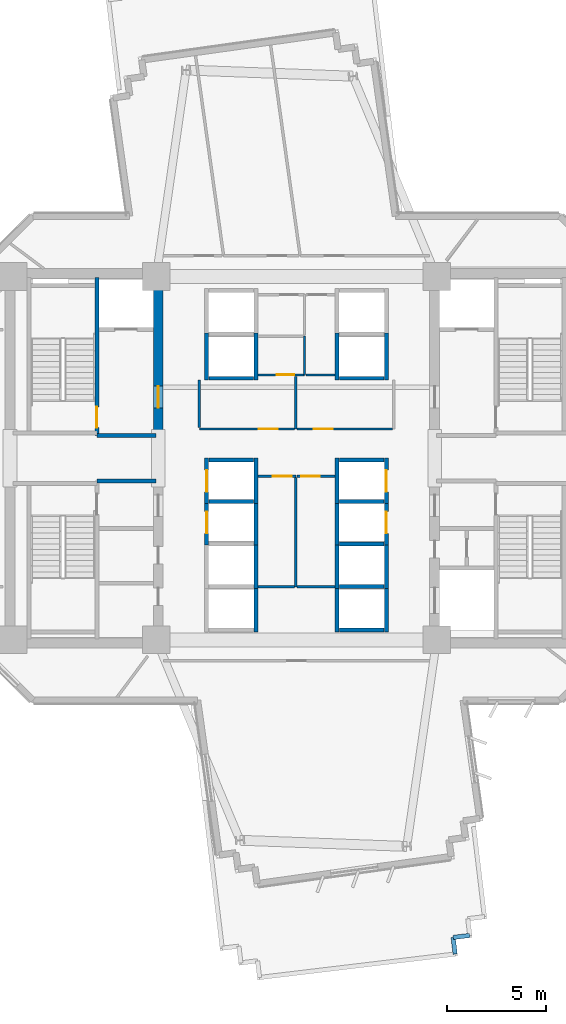
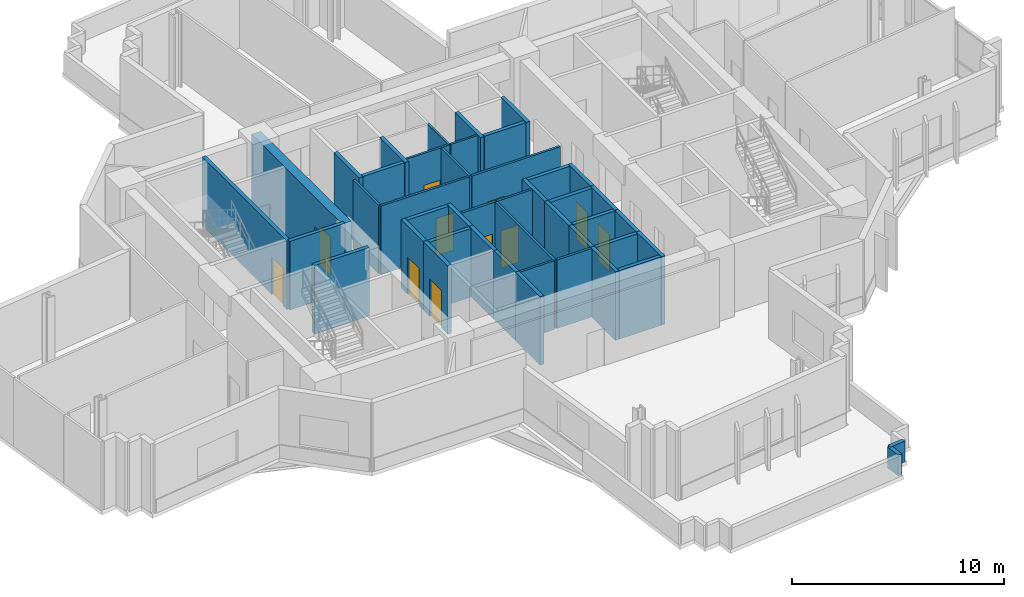
# One storey, part 7 of 13: 45 walls, 11 doors, 11 openings.
"""IFC4 building model written with IfcOpenShell, lengths in metres."""

from ifc_helpers import new_model, si_unit, direction, frame, frame_2d, origin, place, context, subcontext, project, spatial, rectangle, extrude, source, transform, mapped, material, layer, layer_set, type_object, element, fill, save


model = new_model("IFC4")

# Units and contexts
model_context = context("Model", 3, precision=1e-05, world=origin(), true_north=direction((0.0, 1.0)))
body_context = subcontext(model_context, "Body", "Model", "MODEL_VIEW")
ifc_project = project(units=[si_unit("LENGTHUNIT", "METRE"), si_unit("AREAUNIT", "SQUARE_METRE"), si_unit("VOLUMEUNIT", "CUBIC_METRE"), si_unit("PLANEANGLEUNIT", "RADIAN"), si_unit("MASSUNIT", "GRAM", prefix="KILO")], contexts=[model_context])

# Site, building, storey
site_placement = place(None, origin())
site = spatial("IfcSite", under=ifc_project, at=site_placement, CompositionType="ELEMENT")
building_placement = place(site_placement, origin())
building = spatial("IfcBuilding", under=site, at=building_placement, Name="Zahravan Cultural Tower", CompositionType="ELEMENT")
storey_placement = place(building_placement, frame((0.0, 0.0, 117.300048828125)))
storey = spatial("IfcBuildingStorey", under=building, at=storey_placement, Name="L26", CompositionType="ELEMENT", Elevation=117.300048828125)

# Wall, opening, door
ifc_material_1 = material(Name="Concrete C60/75", Category="concrete")
ifc_layer_1 = layer(ifc_material_1, 0.5)
ifc_layer_set_1 = layer_set([ifc_layer_1], Name="Concrete C60/75")
wall_type_1 = type_object("IfcWallType", Name="CW-SHEAR-500-C60", PredefinedType="SHEAR", material=ifc_layer_set_1)
wall_1_placement = place(storey_placement, frame((29.0, 28.050048828125, 0.0), z_axis=(0.0, 0.0, 1.0), x_axis=(0.0, 1.0, 0.0)))
wall_1 = element("IfcWall", 1, at=wall_1_placement, inside=storey, type_object=wall_type_1, Name="L26 Core Shear Wall CW-W-EN-L26", PredefinedType="SHEAR", context=body_context, shape_type="SweptSolid", body=[
    extrude(rectangle(XDim=8.550048828125, YDim=0.5, at=frame_2d((4.27490234375, 0.0))), origin(), (0.0, 0.0, 1.0), 3.949951171875),
])
opening_1_placement = place(wall_1_placement, frame((1.5, 0.0, 0.0)))
opening_1 = element("IfcOpeningElement", 2, at=opening_1_placement, cuts=wall_1, Name="Opening D-L26-05", PredefinedType="OPENING", context=body_context, shape_type="SweptSolid", body=[
    extrude(rectangle(XDim=1.10009765625, YDim=2.199951171875, at=frame_2d((0.550048828125, 1.10009765625))), frame((0.0, 0.260009765625, 0.0), z_axis=(0.0, -1.0, 0.0), x_axis=(1.0, 0.0, 0.0)), (0.0, 0.0, 1.0), 0.52001953125),
])
ifc_material_2 = material(Name="Steel ASTM A572 Grade 50", Category="steel")
door_type_1 = type_object("IfcDoorType", Name="DR-LOBBY-1100", OperationType="NOTDEFINED", PredefinedType="DOOR", material=ifc_material_2)
shared_shape_1 = source(origin(), body_context, "Body", "SweptSolid", [
    extrude(rectangle(XDim=1.10009765625, YDim=2.199951171875, at=frame_2d((0.550048828125, 1.10009765625))), frame((0.0, 0.02490234375, 0.0), z_axis=(0.0, -1.0, 0.0), x_axis=(1.0, 0.0, 0.0)), (0.0, 0.0, 1.0), 0.050048828125),
])
door_1_placement = place(opening_1_placement, origin())
door_1 = element("IfcDoor", 3, at=door_1_placement, inside=storey, type_object=door_type_1, Name="L26 Door D-L26-05", OperationType="SINGLE_SWING_RIGHT", OverallHeight=2.199951171875, OverallWidth=1.10009765625, PredefinedType="DOOR", context=body_context, shape_type="MappedRepresentation", body=[
    mapped(shared_shape_1, transform((0.0, 0.0, 0.0), x_axis=(1.0, 0.0, 0.0), y_axis=(0.0, 1.0, 0.0), z_axis=(0.0, 0.0, 1.0), scale=1.0)),
])
fill(opening_1, door_1)

ifc_material_3 = material(Name="Gypsum plasterboard partition")
ifc_layer_2 = layer(ifc_material_3, 0.125)
ifc_layer_set_2 = layer_set([ifc_layer_2], Name="Gypsum plasterboard partition")
wall_type_2 = type_object("IfcWallType", Name="W-PART-125", PredefinedType="PARTITIONING", material=ifc_layer_set_2)
wall_2_placement = place(storey_placement, frame((34.054931640625, 26.080078125, 0.0), z_axis=(0.0, 0.0, 1.0), x_axis=(1.0, 0.0, 0.0)))
wall_2 = element("IfcWall", 4, at=wall_2_placement, inside=storey, type_object=wall_type_2, Name="L26 Interior Wall 075", PredefinedType="PARTITIONING", context=body_context, shape_type="SweptSolid", body=[
    extrude(rectangle(XDim=1.9150390625, YDim=0.125, at=frame_2d((0.95751953125, 0.0))), origin(), (0.0, 0.0, 1.0), 3.949951171875),
])
opening_2_placement = place(wall_2_placement, frame((0.752685546875, 0.0, 0.0)))
opening_2 = element("IfcOpeningElement", 5, at=opening_2_placement, cuts=wall_2, Name="Opening D-L26-15", PredefinedType="OPENING", context=body_context, shape_type="SweptSolid", body=[
    extrude(rectangle(XDim=0.949951171875, YDim=2.14990234375, at=frame_2d((0.47509765625, 1.074951171875))), frame((0.0, 0.072509765625, 0.0), z_axis=(0.0, -1.0, 0.0), x_axis=(1.0, 0.0, 0.0)), (0.0, 0.0, 1.0), 0.14501953125),
])
ifc_material_4 = material(Name="Anodised bronze-aluminium mullion", Category="aluminium")
door_type_2 = type_object("IfcDoorType", Name="DR-ROOM-950", OperationType="NOTDEFINED", PredefinedType="DOOR", material=ifc_material_4)
shared_shape_2 = source(origin(), body_context, "Body", "SweptSolid", [
    extrude(rectangle(XDim=0.949951171875, YDim=2.14990234375, at=frame_2d((0.47509765625, 1.074951171875))), frame((0.0, 0.02490234375, 0.0), z_axis=(0.0, -1.0, 0.0), x_axis=(1.0, 0.0, 0.0)), (0.0, 0.0, 1.0), 0.050048828125),
])
door_2_placement = place(opening_2_placement, origin())
door_2 = element("IfcDoor", 6, at=door_2_placement, inside=storey, type_object=door_type_2, Name="L26 Door D-L26-15", OperationType="SINGLE_SWING_RIGHT", OverallHeight=2.14990234375, OverallWidth=0.949951171875, PredefinedType="DOOR", context=body_context, shape_type="MappedRepresentation", body=[
    mapped(shared_shape_2, transform((0.0, 0.0, 0.0), x_axis=(1.0, 0.0, 0.0), y_axis=(0.0, 1.0, 0.0), z_axis=(0.0, 0.0, 1.0), scale=1.0)),
])
fill(opening_2, door_2)

wall_3_placement = place(storey_placement, frame((36.030029296875, 26.080078125, 0.0), z_axis=(0.0, 0.0, 1.0), x_axis=(1.0, 0.0, 0.0)))
wall_3 = element("IfcWall", 7, at=wall_3_placement, inside=storey, type_object=wall_type_2, Name="L26 Interior Wall 078", PredefinedType="PARTITIONING", context=body_context, shape_type="SweptSolid", body=[
    extrude(rectangle(XDim=1.9150390625, YDim=0.125, at=frame_2d((0.95751953125, 0.0))), origin(), (0.0, 0.0, 1.0), 3.949951171875),
])
opening_3_placement = place(wall_3_placement, frame((0.21240234375, 0.0, 0.0)))
opening_3 = element("IfcOpeningElement", 8, at=opening_3_placement, cuts=wall_3, Name="Opening D-L26-16", PredefinedType="OPENING", context=body_context, shape_type="SweptSolid", body=[
    extrude(rectangle(XDim=0.949951171875, YDim=2.14990234375, at=frame_2d((0.47509765625, 1.074951171875))), frame((0.0, 0.072509765625, 0.0), z_axis=(0.0, -1.0, 0.0), x_axis=(1.0, 0.0, 0.0)), (0.0, 0.0, 1.0), 0.14501953125),
])
door_3_placement = place(opening_3_placement, origin())
door_3 = element("IfcDoor", 9, at=door_3_placement, inside=storey, type_object=door_type_2, Name="L26 Door D-L26-16", OperationType="SINGLE_SWING_LEFT", OverallHeight=2.14990234375, OverallWidth=0.949951171875, PredefinedType="DOOR", context=body_context, shape_type="MappedRepresentation", body=[
    mapped(shared_shape_2, transform((0.0, 0.0, 0.0), x_axis=(1.0, 0.0, 0.0), y_axis=(0.0, 1.0, 0.0), z_axis=(0.0, 0.0, 1.0), scale=1.0)),
])
fill(opening_3, door_3)

wall_4_placement = place(storey_placement, frame((35.902587890625, 28.47998046875, 0.0), z_axis=(0.0, 0.0, 1.0), x_axis=(-1.0, 0.0, 0.0)))
wall_4 = element("IfcWall", 10, at=wall_4_placement, inside=storey, type_object=wall_type_2, Name="L26 Interior Wall 081", PredefinedType="PARTITIONING", context=body_context, shape_type="SweptSolid", body=[
    extrude(rectangle(XDim=4.822509765625, YDim=0.125, at=frame_2d((2.4111328125, 0.0))), origin(), (0.0, 0.0, 1.0), 3.949951171875),
])
opening_4_placement = place(wall_4_placement, frame((0.85205078125, 0.0, 0.0)))
opening_4 = element("IfcOpeningElement", 11, at=opening_4_placement, cuts=wall_4, Name="Opening D-L26-17", PredefinedType="OPENING", context=body_context, shape_type="SweptSolid", body=[
    extrude(rectangle(XDim=0.949951171875, YDim=2.14990234375, at=frame_2d((0.47509765625, 1.074951171875))), frame((0.0, 0.072509765625, 0.0), z_axis=(0.0, -1.0, 0.0), x_axis=(1.0, 0.0, 0.0)), (0.0, 0.0, 1.0), 0.14501953125),
])
door_4_placement = place(opening_4_placement, origin())
door_4 = element("IfcDoor", 12, at=door_4_placement, inside=storey, type_object=door_type_2, Name="L26 Door D-L26-17", OperationType="SINGLE_SWING_RIGHT", OverallHeight=2.14990234375, OverallWidth=0.949951171875, PredefinedType="DOOR", context=body_context, shape_type="MappedRepresentation", body=[
    mapped(shared_shape_2, transform((0.0, 0.0, 0.0), x_axis=(1.0, 0.0, 0.0), y_axis=(0.0, 1.0, 0.0), z_axis=(0.0, 0.0, 1.0), scale=1.0)),
])
fill(opening_4, door_4)

wall_5_placement = place(storey_placement, frame((40.8525390625, 28.47998046875, 0.0), z_axis=(0.0, 0.0, 1.0), x_axis=(-1.0, 0.0, 0.0)))
wall_5 = element("IfcWall", 13, at=wall_5_placement, inside=storey, type_object=wall_type_2, Name="L26 Interior Wall 084", PredefinedType="PARTITIONING", context=body_context, shape_type="SweptSolid", body=[
    extrude(rectangle(XDim=4.81494140625, YDim=0.125, at=frame_2d((2.407470703125, 0.0))), origin(), (0.0, 0.0, 1.0), 3.949951171875),
])
opening_5_placement = place(wall_5_placement, frame((3.0146484375, 0.0, 0.0)))
opening_5 = element("IfcOpeningElement", 14, at=opening_5_placement, cuts=wall_5, Name="Opening D-L26-18", PredefinedType="OPENING", context=body_context, shape_type="SweptSolid", body=[
    extrude(rectangle(XDim=0.949951171875, YDim=2.14990234375, at=frame_2d((0.47509765625, 1.074951171875))), frame((0.0, 0.072509765625, 0.0), z_axis=(0.0, -1.0, 0.0), x_axis=(1.0, 0.0, 0.0)), (0.0, 0.0, 1.0), 0.14501953125),
])
door_5_placement = place(opening_5_placement, origin())
door_5 = element("IfcDoor", 15, at=door_5_placement, inside=storey, type_object=door_type_2, Name="L26 Door D-L26-18", OperationType="SINGLE_SWING_LEFT", OverallHeight=2.14990234375, OverallWidth=0.949951171875, PredefinedType="DOOR", context=body_context, shape_type="MappedRepresentation", body=[
    mapped(shared_shape_2, transform((0.0, 0.0, 0.0), x_axis=(1.0, 0.0, 0.0), y_axis=(0.0, 1.0, 0.0), z_axis=(0.0, 0.0, 1.0), scale=1.0)),
])
fill(opening_5, door_5)

ifc_material_5 = material(Name="Concrete C45/55", Category="concrete")
ifc_layer_3 = layer(ifc_material_5, 0.199951171875)
ifc_layer_set_3 = layer_set([ifc_layer_3], Name="Concrete C45/55")
wall_type_3 = type_object("IfcWallType", Name="W-SHAFT-200", PredefinedType="SOLIDWALL", material=ifc_layer_set_3)
wall_6_placement = place(storey_placement, frame((25.89990234375, 28.14990234375, 0.0), z_axis=(0.0, 0.0, 1.0), x_axis=(0.0, 1.0, 0.0)))
wall_6 = element("IfcWall", 16, at=wall_6_placement, inside=storey, type_object=wall_type_3, Name="L26 Interior Wall 006", PredefinedType="SOLIDWALL", context=body_context, shape_type="SweptSolid", body=[
    extrude(rectangle(XDim=8.0, YDim=0.199951171875, at=frame_2d((4.0, 0.0))), origin(), (0.0, 0.0, 1.0), 3.949951171875),
])
opening_6_placement = place(wall_6_placement, frame((0.39990234375, 0.0, 0.0)))
opening_6 = element("IfcOpeningElement", 17, at=opening_6_placement, cuts=wall_6, Name="Opening D-L26-01", PredefinedType="OPENING", context=body_context, shape_type="SweptSolid", body=[
    extrude(rectangle(XDim=1.050048828125, YDim=2.14990234375, at=frame_2d((0.52490234375, 1.074951171875))), frame((0.0, 0.10986328125, 0.0), z_axis=(0.0, -1.0, 0.0), x_axis=(1.0, 0.0, 0.0)), (0.0, 0.0, 1.0), 0.219970703125),
])
door_type_3 = type_object("IfcDoorType", Name="DR-STAIR-1050", OperationType="NOTDEFINED", PredefinedType="DOOR", material=ifc_material_2)
shared_shape_3 = source(origin(), body_context, "Body", "SweptSolid", [
    extrude(rectangle(XDim=1.050048828125, YDim=2.14990234375, at=frame_2d((0.52490234375, 1.074951171875))), frame((0.0, 0.02490234375, 0.0), z_axis=(0.0, -1.0, 0.0), x_axis=(1.0, 0.0, 0.0)), (0.0, 0.0, 1.0), 0.050048828125),
])
door_6_placement = place(opening_6_placement, origin())
door_6 = element("IfcDoor", 18, at=door_6_placement, inside=storey, type_object=door_type_3, Name="L26 Door D-L26-01", OperationType="SINGLE_SWING_RIGHT", OverallHeight=2.14990234375, OverallWidth=1.050048828125, PredefinedType="DOOR", context=body_context, shape_type="MappedRepresentation", body=[
    mapped(shared_shape_3, transform((0.0, 0.0, 0.0), x_axis=(1.0, 0.0, 0.0), y_axis=(0.0, 1.0, 0.0), z_axis=(0.0, 0.0, 1.0), scale=1.0)),
])
fill(opening_6, door_6)

wall_7_placement = place(storey_placement, frame((31.449951171875, 24.699951171875, 0.0), z_axis=(0.0, 0.0, 1.0), x_axis=(0.0, 1.0, 0.0)))
wall_7 = element("IfcWall", 19, at=wall_7_placement, inside=storey, type_object=wall_type_3, Name="L26 Interior Wall 056", PredefinedType="SOLIDWALL", context=body_context, shape_type="SweptSolid", body=[
    extrude(rectangle(XDim=2.300048828125, YDim=0.199951171875, at=frame_2d((1.14990234375, 0.0))), origin(), (0.0, 0.0, 1.0), 3.949951171875),
])
opening_7_placement = place(wall_7_placement, frame((0.60009765625, 0.0, 0.0)))
opening_7 = element("IfcOpeningElement", 20, at=opening_7_placement, cuts=wall_7, Name="Opening LD-L26-04", PredefinedType="OPENING", context=body_context, shape_type="SweptSolid", body=[
    extrude(rectangle(XDim=1.10009765625, YDim=2.14990234375, at=frame_2d((0.550048828125, 1.074951171875))), frame((0.0, 0.10986328125, 0.0), z_axis=(0.0, -1.0, 0.0), x_axis=(1.0, 0.0, 0.0)), (0.0, 0.0, 1.0), 0.219970703125),
])
door_type_4 = type_object("IfcDoorType", Name="DR-LIFT-1100", OperationType="DOUBLE_DOOR_SLIDING", PredefinedType="DOOR", material=ifc_material_2)
shared_shape_4 = source(origin(), body_context, "Body", "SweptSolid", [
    extrude(rectangle(XDim=1.10009765625, YDim=2.14990234375, at=frame_2d((0.550048828125, 1.074951171875))), frame((0.0, 0.02490234375, 0.0), z_axis=(0.0, -1.0, 0.0), x_axis=(1.0, 0.0, 0.0)), (0.0, 0.0, 1.0), 0.050048828125),
])
door_7_placement = place(opening_7_placement, origin())
door_7 = element("IfcDoor", 21, at=door_7_placement, inside=storey, type_object=door_type_4, Name="L26 Door LD-L26-04", OperationType="DOUBLE_DOOR_SLIDING", OverallHeight=2.14990234375, OverallWidth=1.10009765625, PredefinedType="DOOR", context=body_context, shape_type="MappedRepresentation", body=[
    mapped(shared_shape_4, transform((0.0, 0.0, 0.0), x_axis=(1.0, 0.0, 0.0), y_axis=(0.0, 1.0, 0.0), z_axis=(0.0, 0.0, 1.0), scale=1.0)),
])
fill(opening_7, door_7)

wall_8_placement = place(storey_placement, frame((31.449951171875, 22.60009765625, 0.0), z_axis=(0.0, 0.0, 1.0), x_axis=(0.0, 1.0, 0.0)))
wall_8 = element("IfcWall", 22, at=wall_8_placement, inside=storey, type_object=wall_type_3, Name="L26 Interior Wall 060", PredefinedType="SOLIDWALL", context=body_context, shape_type="SweptSolid", body=[
    extrude(rectangle(XDim=2.2998046875, YDim=0.199951171875, at=frame_2d((1.14990234375, 0.0))), origin(), (0.0, 0.0, 1.0), 3.949951171875),
])
opening_8_placement = place(wall_8_placement, frame((0.60009765625, 0.0, 0.0)))
opening_8 = element("IfcOpeningElement", 23, at=opening_8_placement, cuts=wall_8, Name="Opening LD-L26-05", PredefinedType="OPENING", context=body_context, shape_type="SweptSolid", body=[
    extrude(rectangle(XDim=1.10009765625, YDim=2.14990234375, at=frame_2d((0.550048828125, 1.074951171875))), frame((0.0, 0.10986328125, 0.0), z_axis=(0.0, -1.0, 0.0), x_axis=(1.0, 0.0, 0.0)), (0.0, 0.0, 1.0), 0.219970703125),
])
door_8_placement = place(opening_8_placement, origin())
door_8 = element("IfcDoor", 24, at=door_8_placement, inside=storey, type_object=door_type_4, Name="L26 Door LD-L26-05", OperationType="DOUBLE_DOOR_SLIDING", OverallHeight=2.14990234375, OverallWidth=1.10009765625, PredefinedType="DOOR", context=body_context, shape_type="MappedRepresentation", body=[
    mapped(shared_shape_4, transform((0.0, 0.0, 0.0), x_axis=(1.0, 0.0, 0.0), y_axis=(0.0, 1.0, 0.0), z_axis=(0.0, 0.0, 1.0), scale=1.0)),
])
fill(opening_8, door_8)

wall_9_placement = place(storey_placement, frame((40.550048828125, 24.699951171875, 0.0), z_axis=(0.0, 0.0, 1.0), x_axis=(0.0, 1.0, 0.0)))
wall_9 = element("IfcWall", 25, at=wall_9_placement, inside=storey, type_object=wall_type_3, Name="L26 Interior Wall 063", PredefinedType="SOLIDWALL", context=body_context, shape_type="SweptSolid", body=[
    extrude(rectangle(XDim=2.300048828125, YDim=0.199951171875, at=frame_2d((1.14990234375, 0.0))), origin(), (0.0, 0.0, 1.0), 3.949951171875),
])
opening_9_placement = place(wall_9_placement, frame((0.60009765625, 0.0, 0.0)))
opening_9 = element("IfcOpeningElement", 26, at=opening_9_placement, cuts=wall_9, Name="Opening LD-L26-06", PredefinedType="OPENING", context=body_context, shape_type="SweptSolid", body=[
    extrude(rectangle(XDim=1.10009765625, YDim=2.14990234375, at=frame_2d((0.550048828125, 1.074951171875))), frame((0.0, 0.10986328125, 0.0), z_axis=(0.0, -1.0, 0.0), x_axis=(1.0, 0.0, 0.0)), (0.0, 0.0, 1.0), 0.219970703125),
])
door_9_placement = place(opening_9_placement, origin())
door_9 = element("IfcDoor", 27, at=door_9_placement, inside=storey, type_object=door_type_4, Name="L26 Door LD-L26-06", OperationType="DOUBLE_DOOR_SLIDING", OverallHeight=2.14990234375, OverallWidth=1.10009765625, PredefinedType="DOOR", context=body_context, shape_type="MappedRepresentation", body=[
    mapped(shared_shape_4, transform((0.0, 0.0, 0.0), x_axis=(1.0, 0.0, 0.0), y_axis=(0.0, 1.0, 0.0), z_axis=(0.0, 0.0, 1.0), scale=1.0)),
])
fill(opening_9, door_9)

wall_10_placement = place(storey_placement, frame((40.550048828125, 22.60009765625, 0.0), z_axis=(0.0, 0.0, 1.0), x_axis=(0.0, 1.0, 0.0)))
wall_10 = element("IfcWall", 28, at=wall_10_placement, inside=storey, type_object=wall_type_3, Name="L26 Interior Wall 067", PredefinedType="SOLIDWALL", context=body_context, shape_type="SweptSolid", body=[
    extrude(rectangle(XDim=2.2998046875, YDim=0.199951171875, at=frame_2d((1.14990234375, 0.0))), origin(), (0.0, 0.0, 1.0), 3.949951171875),
])
opening_10_placement = place(wall_10_placement, frame((0.60009765625, 0.0, 0.0)))
opening_10 = element("IfcOpeningElement", 29, at=opening_10_placement, cuts=wall_10, Name="Opening LD-L26-07", PredefinedType="OPENING", context=body_context, shape_type="SweptSolid", body=[
    extrude(rectangle(XDim=1.10009765625, YDim=2.14990234375, at=frame_2d((0.550048828125, 1.074951171875))), frame((0.0, 0.10986328125, 0.0), z_axis=(0.0, -1.0, 0.0), x_axis=(1.0, 0.0, 0.0)), (0.0, 0.0, 1.0), 0.219970703125),
])
door_10_placement = place(opening_10_placement, origin())
door_10 = element("IfcDoor", 30, at=door_10_placement, inside=storey, type_object=door_type_4, Name="L26 Door LD-L26-07", OperationType="DOUBLE_DOOR_SLIDING", OverallHeight=2.14990234375, OverallWidth=1.10009765625, PredefinedType="DOOR", context=body_context, shape_type="MappedRepresentation", body=[
    mapped(shared_shape_4, transform((0.0, 0.0, 0.0), x_axis=(1.0, 0.0, 0.0), y_axis=(0.0, 1.0, 0.0), z_axis=(0.0, 0.0, 1.0), scale=1.0)),
])
fill(opening_10, door_10)

ifc_layer_4 = layer(ifc_material_3, 0.114990234375)
ifc_layer_set_4 = layer_set([ifc_layer_4], Name="Gypsum plasterboard partition")
wall_type_4 = type_object("IfcWallType", Name="W-WC-115", PredefinedType="PARTITIONING", material=ifc_layer_set_4)
wall_11_placement = place(storey_placement, frame((36.409912109375, 31.219970703125, 0.0), z_axis=(0.0, 0.0, 1.0), x_axis=(-1.0, 0.0, 0.0)))
wall_11 = element("IfcWall", 31, at=wall_11_placement, inside=storey, type_object=wall_type_4, Name="L26 Interior Wall 068", PredefinedType="PARTITIONING", context=body_context, shape_type="SweptSolid", body=[
    extrude(rectangle(XDim=2.35498046875, YDim=0.114990234375, at=frame_2d((1.177490234375, 0.0))), origin(), (0.0, 0.0, 1.0), 3.949951171875),
])
opening_11_placement = place(wall_11_placement, frame((0.5166015625, 0.0, 0.0)))
opening_11 = element("IfcOpeningElement", 32, at=opening_11_placement, cuts=wall_11, Name="Opening D-L26-29", PredefinedType="OPENING", context=body_context, shape_type="SweptSolid", body=[
    extrude(rectangle(XDim=0.89990234375, YDim=2.10009765625, at=frame_2d((0.449951171875, 1.050048828125))), frame((0.0, 0.0673828125, 0.0), z_axis=(0.0, -1.0, 0.0), x_axis=(1.0, 0.0, 0.0)), (0.0, 0.0, 1.0), 0.135009765625),
])
door_type_5 = type_object("IfcDoorType", Name="DR-WC-900", OperationType="NOTDEFINED", PredefinedType="DOOR", material=ifc_material_4)
shared_shape_5 = source(origin(), body_context, "Body", "SweptSolid", [
    extrude(rectangle(XDim=0.89990234375, YDim=2.10009765625, at=frame_2d((0.449951171875, 1.050048828125))), frame((0.0, 0.02490234375, 0.0), z_axis=(0.0, -1.0, 0.0), x_axis=(1.0, 0.0, 0.0)), (0.0, 0.0, 1.0), 0.050048828125),
])
door_11_placement = place(opening_11_placement, origin())
door_11 = element("IfcDoor", 33, at=door_11_placement, inside=storey, type_object=door_type_5, Name="L26 Door D-L26-29", OperationType="SINGLE_SWING_RIGHT", OverallHeight=2.10009765625, OverallWidth=0.89990234375, PredefinedType="DOOR", context=body_context, shape_type="MappedRepresentation", body=[
    mapped(shared_shape_5, transform((0.0, 0.0, 0.0), x_axis=(1.0, 0.0, 0.0), y_axis=(0.0, 1.0, 0.0), z_axis=(0.0, 0.0, 1.0), scale=1.0)),
])
fill(opening_11, door_11)

# Walls
ifc_material_6 = material(Name="Precast concrete C40/50", Category="concrete")
ifc_layer_5 = layer(ifc_material_6, 0.219970703125)
ifc_layer_set_5 = layer_set([ifc_layer_5], Name="Precast concrete C40/50")
wall_type_5 = type_object("IfcWallType", Name="EW-PARAPET-220", PredefinedType="PARAPET", material=ifc_layer_set_5)
shared_shape_6 = source(origin(), body_context, "Body", "SweptSolid", [
    extrude(rectangle(XDim=0.85009765625, YDim=0.219970703125, at=frame_2d((0.425048828125, 0.0))), origin(), (0.0, 0.0, 1.0), 1.199951171875),
])
wall_12_placement = place(storey_placement, frame((43.936767578125, 2.732421875, 0.0), z_axis=(0.0, 0.0, 1.0), x_axis=(0.118907380694, -0.992905350382, 0.0)))
element("IfcWall", 34, at=wall_12_placement, inside=storey, type_object=wall_type_5, Name="L26 Setback Roof Parapet 5", PredefinedType="PARAPET", context=body_context, shape_type="MappedRepresentation", body=[
    mapped(shared_shape_6, transform((0.0, 0.0, 0.0), x_axis=(1.0, 0.0, 0.0), y_axis=(0.0, 1.0, 0.0), z_axis=(0.0, 0.0, 1.0), scale=1.0)),
])
shared_shape_7 = source(origin(), body_context, "Body", "SweptSolid", [
    extrude(rectangle(XDim=0.849853515625, YDim=0.219970703125, at=frame_2d((0.4248046875, 0.0))), origin(), (0.0, 0.0, 1.0), 1.199951171875),
])
wall_13_placement = place(storey_placement, frame((44.780517578125, 2.833740234375, 0.0), z_axis=(0.0, 0.0, 1.0), x_axis=(-0.992867319472, -0.119224518976, 0.0)))
element("IfcWall", 35, at=wall_13_placement, inside=storey, type_object=wall_type_5, Name="L26 Setback Roof Parapet 4", PredefinedType="PARAPET", context=body_context, shape_type="MappedRepresentation", body=[
    mapped(shared_shape_7, transform((0.0, 0.0, 0.0), x_axis=(1.0, 0.0, 0.0), y_axis=(0.0, 1.0, 0.0), z_axis=(0.0, 0.0, 1.0), scale=1.0)),
])
shared_shape_8 = source(origin(), body_context, "Body", "SweptSolid", [
    extrude(rectangle(XDim=3.0, YDim=0.199951171875, at=frame_2d((1.5, 0.0))), origin(), (0.0, 0.0, 1.0), 3.949951171875),
])
for number, where, z_axis, x_axis, name in (
    (36, (25.89990234375, 25.85009765625, 0.0), (0.0, 0.0, 1.0), (1.0, 0.0, 0.0), "L26 Interior Wall 010"),
    (37, (25.89990234375, 28.14990234375, 0.0), (0.0, 0.0, 1.0), (1.0, 0.0, 0.0), "L26 Interior Wall 012"),
):
    element("IfcWall", number, at=place(storey_placement, frame(where, z_axis=z_axis, x_axis=x_axis)), inside=storey, type_object=wall_type_3, Name=name, PredefinedType="SOLIDWALL", context=body_context, shape_type="MappedRepresentation", body=[
        mapped(shared_shape_8, transform((0.0, 0.0, 0.0), x_axis=(1.0, 0.0, 0.0), y_axis=(0.0, 1.0, 0.0), z_axis=(0.0, 0.0, 1.0), scale=1.0)),
    ])
shared_shape_9 = source(origin(), body_context, "Body", "SweptSolid", [
    extrude(rectangle(XDim=2.400146484375, YDim=0.199951171875, at=frame_2d((1.2001953125, 0.0))), origin(), (0.0, 0.0, 1.0), 3.949951171875),
])
for number, where, z_axis, x_axis, name in (
    (38, (31.449951171875, 30.949951171875, 0.0), (0.0, 0.0, 1.0), (0.0, 1.0, 0.0), "L26 Interior Wall 032"),
    (39, (33.949951171875, 30.949951171875, 0.0), (0.0, 0.0, 1.0), (0.0, 1.0, 0.0), "L26 Interior Wall 033"),
    (40, (38.050048828125, 30.949951171875, 0.0), (0.0, 0.0, 1.0), (0.0, 1.0, 0.0), "L26 Interior Wall 039"),
    (41, (40.550048828125, 30.949951171875, 0.0), (0.0, 0.0, 1.0), (0.0, 1.0, 0.0), "L26 Interior Wall 040"),
):
    element("IfcWall", number, at=place(storey_placement, frame(where, z_axis=z_axis, x_axis=x_axis)), inside=storey, type_object=wall_type_3, Name=name, PredefinedType="SOLIDWALL", context=body_context, shape_type="MappedRepresentation", body=[
        mapped(shared_shape_9, transform((0.0, 0.0, 0.0), x_axis=(1.0, 0.0, 0.0), y_axis=(0.0, 1.0, 0.0), z_axis=(0.0, 0.0, 1.0), scale=1.0)),
    ])
shared_shape_10 = source(origin(), body_context, "Body", "SweptSolid", [
    extrude(rectangle(XDim=2.260009765625, YDim=0.199951171875, at=frame_2d((1.1298828125, 0.0))), origin(), (0.0, 0.0, 1.0), 3.949951171875),
])
for number, where, z_axis, x_axis, name in (
    (42, (31.570068359375, 31.050048828125, 0.0), (0.0, 0.0, 1.0), (1.0, 0.0, 0.0), "L26 Interior Wall 034"),
    (43, (38.169921875, 31.050048828125, 0.0), (0.0, 0.0, 1.0), (1.0, 0.0, 0.0), "L26 Interior Wall 041"),
    (44, (38.169921875, 20.5, 0.0), (0.0, 0.0, 1.0), (1.0, 0.0, 0.0), "L26 Interior Wall 051"),
    (45, (38.169921875, 22.64990234375, 0.0), (0.0, 0.0, 1.0), (1.0, 0.0, 0.0), "L26 Interior Wall 052"),
    (46, (38.169921875, 18.300048828125, 0.0), (0.0, 0.0, 1.0), (1.0, 0.0, 0.0), "L26 Interior Wall 055"),
    (47, (31.570068359375, 24.800048828125, 0.0), (0.0, 0.0, 1.0), (1.0, 0.0, 0.0), "L26 Interior Wall 058"),
    (48, (31.570068359375, 26.89990234375, 0.0), (0.0, 0.0, 1.0), (1.0, 0.0, 0.0), "L26 Interior Wall 059"),
    (49, (38.169921875, 24.800048828125, 0.0), (0.0, 0.0, 1.0), (1.0, 0.0, 0.0), "L26 Interior Wall 064"),
    (50, (38.169921875, 26.89990234375, 0.0), (0.0, 0.0, 1.0), (1.0, 0.0, 0.0), "L26 Interior Wall 065"),
):
    element("IfcWall", number, at=place(storey_placement, frame(where, z_axis=z_axis, x_axis=x_axis)), inside=storey, type_object=wall_type_3, Name=name, PredefinedType="SOLIDWALL", context=body_context, shape_type="MappedRepresentation", body=[
        mapped(shared_shape_10, transform((0.0, 0.0, 0.0), x_axis=(1.0, 0.0, 0.0), y_axis=(0.0, 1.0, 0.0), z_axis=(0.0, 0.0, 1.0), scale=1.0)),
    ])
shared_shape_11 = source(origin(), body_context, "Body", "SweptSolid", [
    extrude(rectangle(XDim=2.35009765625, YDim=0.199951171875, at=frame_2d((1.175048828125, 0.0))), origin(), (0.0, 0.0, 1.0), 3.949951171875),
])
for number, where, z_axis, x_axis, name in (
    (51, (33.949951171875, 20.39990234375, 0.0), (0.0, 0.0, 1.0), (0.0, 1.0, 0.0), "L26 Interior Wall 043"),
    (52, (33.949951171875, 18.199951171875, 0.0), (0.0, 0.0, 1.0), (0.0, 1.0, 0.0), "L26 Interior Wall 047"),
    (53, (38.050048828125, 20.39990234375, 0.0), (0.0, 0.0, 1.0), (0.0, 1.0, 0.0), "L26 Interior Wall 049"),
    (54, (40.550048828125, 20.39990234375, 0.0), (0.0, 0.0, 1.0), (0.0, 1.0, 0.0), "L26 Interior Wall 050"),
    (55, (38.050048828125, 18.199951171875, 0.0), (0.0, 0.0, 1.0), (0.0, 1.0, 0.0), "L26 Interior Wall 053"),
    (56, (40.550048828125, 18.199951171875, 0.0), (0.0, 0.0, 1.0), (0.0, 1.0, 0.0), "L26 Interior Wall 054"),
):
    element("IfcWall", number, at=place(storey_placement, frame(where, z_axis=z_axis, x_axis=x_axis)), inside=storey, type_object=wall_type_3, Name=name, PredefinedType="SOLIDWALL", context=body_context, shape_type="MappedRepresentation", body=[
        mapped(shared_shape_11, transform((0.0, 0.0, 0.0), x_axis=(1.0, 0.0, 0.0), y_axis=(0.0, 1.0, 0.0), z_axis=(0.0, 0.0, 1.0), scale=1.0)),
    ])
shared_shape_12 = source(origin(), body_context, "Body", "SweptSolid", [
    extrude(rectangle(XDim=2.300048828125, YDim=0.199951171875, at=frame_2d((1.14990234375, 0.0))), origin(), (0.0, 0.0, 1.0), 3.949951171875),
])
for number, where, z_axis, x_axis, name in (
    (57, (33.949951171875, 24.699951171875, 0.0), (0.0, 0.0, 1.0), (0.0, 1.0, 0.0), "L26 Interior Wall 057"),
    (58, (38.050048828125, 24.699951171875, 0.0), (0.0, 0.0, 1.0), (0.0, 1.0, 0.0), "L26 Interior Wall 062"),
):
    element("IfcWall", number, at=place(storey_placement, frame(where, z_axis=z_axis, x_axis=x_axis)), inside=storey, type_object=wall_type_3, Name=name, PredefinedType="SOLIDWALL", context=body_context, shape_type="MappedRepresentation", body=[
        mapped(shared_shape_12, transform((0.0, 0.0, 0.0), x_axis=(1.0, 0.0, 0.0), y_axis=(0.0, 1.0, 0.0), z_axis=(0.0, 0.0, 1.0), scale=1.0)),
    ])
shared_shape_13 = source(origin(), body_context, "Body", "SweptSolid", [
    extrude(rectangle(XDim=2.2998046875, YDim=0.199951171875, at=frame_2d((1.14990234375, 0.0))), origin(), (0.0, 0.0, 1.0), 3.949951171875),
])
for number, where, z_axis, x_axis, name in (
    (59, (33.949951171875, 22.60009765625, 0.0), (0.0, 0.0, 1.0), (0.0, 1.0, 0.0), "L26 Interior Wall 061"),
    (60, (38.050048828125, 22.60009765625, 0.0), (0.0, 0.0, 1.0), (0.0, 1.0, 0.0), "L26 Interior Wall 066"),
):
    element("IfcWall", number, at=place(storey_placement, frame(where, z_axis=z_axis, x_axis=x_axis)), inside=storey, type_object=wall_type_3, Name=name, PredefinedType="SOLIDWALL", context=body_context, shape_type="MappedRepresentation", body=[
        mapped(shared_shape_13, transform((0.0, 0.0, 0.0), x_axis=(1.0, 0.0, 0.0), y_axis=(0.0, 1.0, 0.0), z_axis=(0.0, 0.0, 1.0), scale=1.0)),
    ])
shared_shape_14 = source(origin(), body_context, "Body", "SweptSolid", [
    extrude(rectangle(XDim=1.9599609375, YDim=0.114990234375, at=frame_2d((0.97998046875, 0.0))), origin(), (0.0, 0.0, 1.0), 3.949951171875),
])
wall_14_placement = place(storey_placement, frame((36.409912109375, 33.179931640625, 0.0), z_axis=(0.0, 0.0, 1.0), x_axis=(0.0, -1.0, 0.0)))
element("IfcWall", 61, at=wall_14_placement, inside=storey, type_object=wall_type_4, Name="L26 Interior Wall 070", PredefinedType="PARTITIONING", context=body_context, shape_type="MappedRepresentation", body=[
    mapped(shared_shape_14, transform((0.0, 0.0, 0.0), x_axis=(1.0, 0.0, 0.0), y_axis=(0.0, 1.0, 0.0), z_axis=(0.0, 0.0, 1.0), scale=1.0)),
])
shared_shape_15 = source(origin(), body_context, "Body", "SweptSolid", [
    extrude(rectangle(XDim=1.47265625, YDim=0.114990234375, at=frame_2d((0.736328125, 0.0))), origin(), (0.0, 0.0, 1.0), 3.949951171875),
])
wall_15_placement = place(storey_placement, frame((37.945068359375, 31.219970703125, 0.0), z_axis=(0.0, 0.0, 1.0), x_axis=(-1.0, 0.0, 0.0)))
element("IfcWall", 62, at=wall_15_placement, inside=storey, type_object=wall_type_4, Name="L26 Interior Wall 073", PredefinedType="PARTITIONING", context=body_context, shape_type="MappedRepresentation", body=[
    mapped(shared_shape_15, transform((0.0, 0.0, 0.0), x_axis=(1.0, 0.0, 0.0), y_axis=(0.0, 1.0, 0.0), z_axis=(0.0, 0.0, 1.0), scale=1.0)),
])
shared_shape_16 = source(origin(), body_context, "Body", "SweptSolid", [
    extrude(rectangle(XDim=5.5224609375, YDim=0.125, at=frame_2d((2.76123046875, 0.0))), origin(), (0.0, 0.0, 1.0), 3.949951171875),
])
wall_16_placement = place(storey_placement, frame((35.969970703125, 26.012451171875, 0.0), z_axis=(0.0, 0.0, 1.0), x_axis=(0.0, -1.0, 0.0)))
element("IfcWall", 63, at=wall_16_placement, inside=storey, type_object=wall_type_2, Name="L26 Interior Wall 076", PredefinedType="PARTITIONING", context=body_context, shape_type="MappedRepresentation", body=[
    mapped(shared_shape_16, transform((0.0, 0.0, 0.0), x_axis=(1.0, 0.0, 0.0), y_axis=(0.0, 1.0, 0.0), z_axis=(0.0, 0.0, 1.0), scale=1.0)),
])
shared_shape_17 = source(origin(), body_context, "Body", "SweptSolid", [
    extrude(rectangle(XDim=1.84765625, YDim=0.125, at=frame_2d((0.923828125, 0.0))), origin(), (0.0, 0.0, 1.0), 3.949951171875),
])
wall_17_placement = place(storey_placement, frame((35.902587890625, 20.489990234375, 0.0), z_axis=(0.0, 0.0, 1.0), x_axis=(-1.0, 0.0, 0.0)))
element("IfcWall", 64, at=wall_17_placement, inside=storey, type_object=wall_type_2, Name="L26 Interior Wall 077", PredefinedType="PARTITIONING", context=body_context, shape_type="MappedRepresentation", body=[
    mapped(shared_shape_17, transform((0.0, 0.0, 0.0), x_axis=(1.0, 0.0, 0.0), y_axis=(0.0, 1.0, 0.0), z_axis=(0.0, 0.0, 1.0), scale=1.0)),
])
shared_shape_18 = source(origin(), body_context, "Body", "SweptSolid", [
    extrude(rectangle(XDim=1.907470703125, YDim=0.125, at=frame_2d((0.95361328125, 0.0))), origin(), (0.0, 0.0, 1.0), 3.949951171875),
])
wall_18_placement = place(storey_placement, frame((37.945068359375, 20.489990234375, 0.0), z_axis=(0.0, 0.0, 1.0), x_axis=(-1.0, 0.0, 0.0)))
element("IfcWall", 65, at=wall_18_placement, inside=storey, type_object=wall_type_2, Name="L26 Interior Wall 079", PredefinedType="PARTITIONING", context=body_context, shape_type="MappedRepresentation", body=[
    mapped(shared_shape_18, transform((0.0, 0.0, 0.0), x_axis=(1.0, 0.0, 0.0), y_axis=(0.0, 1.0, 0.0), z_axis=(0.0, 0.0, 1.0), scale=1.0)),
])
shared_shape_19 = source(origin(), body_context, "Body", "SweptSolid", [
    extrude(rectangle(XDim=2.659912109375, YDim=0.125, at=frame_2d((1.330078125, 0.0))), origin(), (0.0, 0.0, 1.0), 3.949951171875),
])
wall_19_placement = place(storey_placement, frame((35.969970703125, 31.139892578125, 0.0), z_axis=(0.0, 0.0, 1.0), x_axis=(0.0, -1.0, 0.0)))
element("IfcWall", 66, at=wall_19_placement, inside=storey, type_object=wall_type_2, Name="L26 Interior Wall 080", PredefinedType="PARTITIONING", context=body_context, shape_type="MappedRepresentation", body=[
    mapped(shared_shape_19, transform((0.0, 0.0, 0.0), x_axis=(1.0, 0.0, 0.0), y_axis=(0.0, 1.0, 0.0), z_axis=(0.0, 0.0, 1.0), scale=1.0)),
])
shared_shape_20 = source(origin(), body_context, "Body", "SweptSolid", [
    extrude(rectangle(XDim=2.40234375, YDim=0.125, at=frame_2d((1.201171875, 0.0))), origin(), (0.0, 0.0, 1.0), 3.949951171875),
])
wall_20_placement = place(storey_placement, frame((31.080078125, 28.547607421875, 0.0), z_axis=(0.0, 0.0, 1.0), x_axis=(0.0, 1.0, 0.0)))
element("IfcWall", 67, at=wall_20_placement, inside=storey, type_object=wall_type_2, Name="L26 Interior Wall 082", PredefinedType="PARTITIONING", context=body_context, shape_type="MappedRepresentation", body=[
    mapped(shared_shape_20, transform((0.0, 0.0, 0.0), x_axis=(1.0, 0.0, 0.0), y_axis=(0.0, 1.0, 0.0), z_axis=(0.0, 0.0, 1.0), scale=1.0)),
])

save(model, "model.ifc")
